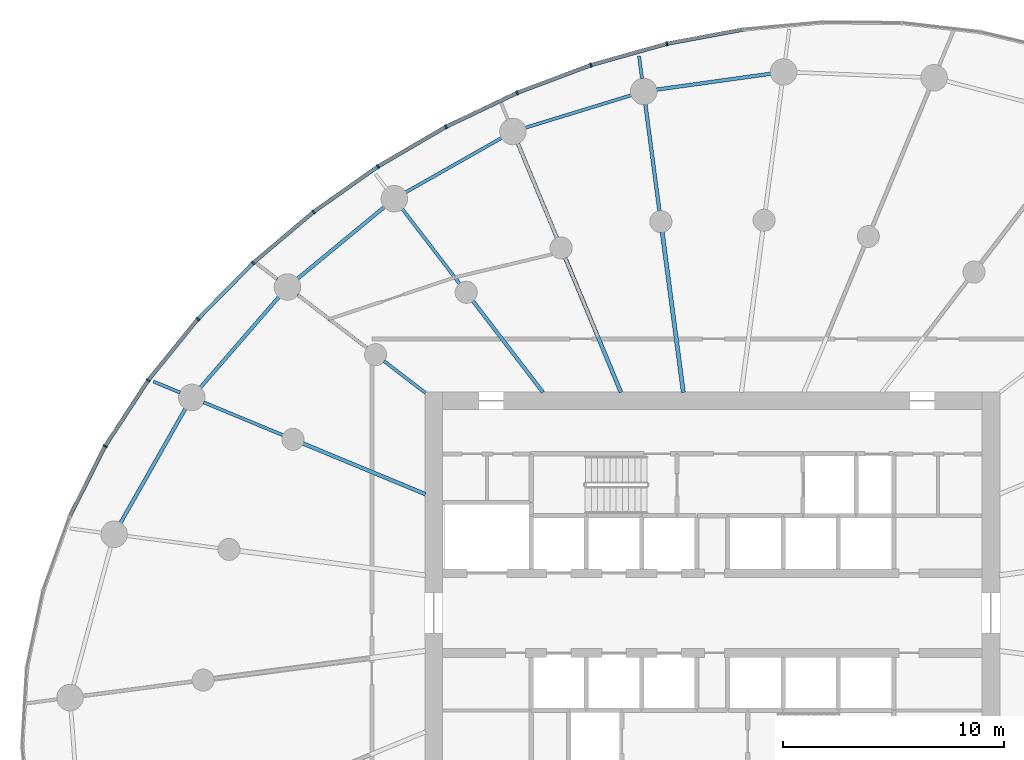
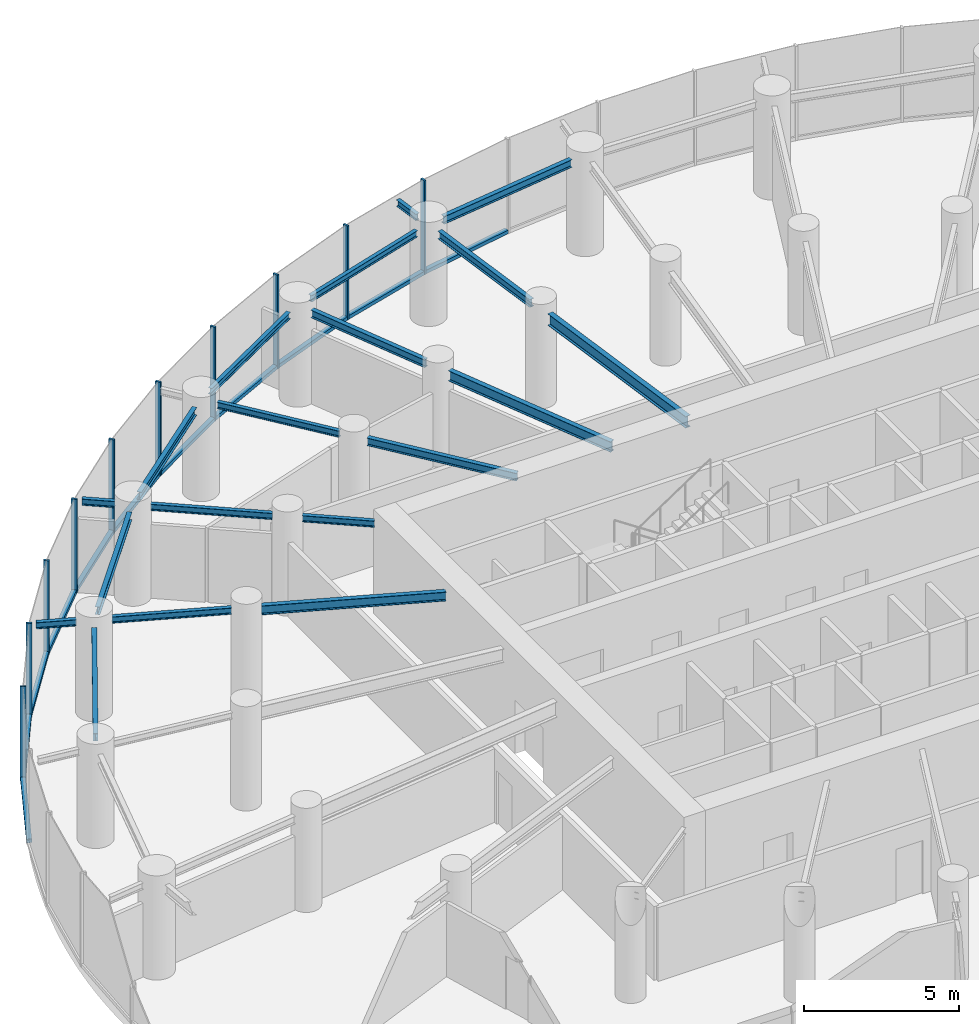
# One storey, part 6 of 17: 21 members, 19 beams, 3 elements without a shape of their own.
"""IFC4 building model written with IfcOpenShell, lengths in metres."""

from ifc_helpers import new_model, si_unit, direction, frame, origin, origin_2d, place, context, subcontext, project, spatial, rectangle, i_section, extrude, source, transform, mapped, material, layer, layer_set, material_profile, profile_set, type_object, element, aggregate, save


model = new_model("IFC4")

# Units and contexts
model_context = context("Model", 3, precision=1e-05, world=origin(), true_north=direction((0.0, 1.0)))
body_context = subcontext(model_context, "Body", "Model", "MODEL_VIEW")
ifc_project = project(units=[si_unit("LENGTHUNIT", "METRE"), si_unit("AREAUNIT", "SQUARE_METRE"), si_unit("VOLUMEUNIT", "CUBIC_METRE"), si_unit("PLANEANGLEUNIT", "RADIAN"), si_unit("MASSUNIT", "GRAM", prefix="KILO")], contexts=[model_context])

# Site, building, storey
site_placement = place(None, origin())
site = spatial("IfcSite", under=ifc_project, at=site_placement, CompositionType="ELEMENT")
building_placement = place(site_placement, origin())
building = spatial("IfcBuilding", under=site, at=building_placement, Name="Spindrift Exchange Tower", CompositionType="ELEMENT")
storey_placement = place(building_placement, frame((0.0, 0.0, 104.39990234375)))
storey = spatial("IfcBuildingStorey", under=building, at=storey_placement, Name="L24", CompositionType="ELEMENT", Elevation=104.39990234375)

# Beams
ifc_material_1 = material(Name="Steel Grade 300", Category="steel")
ifc_material_profile_1 = material_profile(ifc_material_1, i_section(OverallWidth=0.18994140625, OverallDepth=0.45703125, WebThickness=0.009033203125, FlangeThickness=0.014404296875, FilletRadius=0.013916015625, at=origin_2d()), Name="460UB74.6")
ifc_profile_set_1 = profile_set([ifc_material_profile_1], Name="Steel Grade 300")
beam_type_1 = type_object("IfcBeamType", Name="Floor Beam 460UB74.6 Steel Grade 300", PredefinedType="BEAM", material=ifc_profile_set_1)
shared_shape_1 = source(origin(), body_context, "Body", "SweptSolid", [
    extrude(i_section(OverallWidth=0.18994140625, OverallDepth=0.45703125, WebThickness=0.009033203125, FlangeThickness=0.014404296875, FilletRadius=0.013916015625, at=origin_2d()), origin(), (0.0, 0.0, 1.0), 7.3095703125),
])
beam_1_placement = place(storey_placement, frame((50.68603515625, 57.980224609375, 3.4716796875), z_axis=(-0.130527087244, 0.991444743541, 0.0), x_axis=(-0.991444743541, -0.130527087244, 0.0)))
element("IfcBeam", 1, at=beam_1_placement, inside=storey, type_object=beam_type_1, Name="L24 radial beam R07A", PredefinedType="BEAM", context=body_context, shape_type="MappedRepresentation", body=[
    mapped(shared_shape_1, transform((0.0, 0.0, 0.0), scale=1.0)),
])
ifc_material_profile_2 = material_profile(ifc_material_1, i_section(OverallWidth=0.177978515625, OverallDepth=0.406005859375, WebThickness=0.0078125, FlangeThickness=0.0126953125, FilletRadius=0.013916015625, at=origin_2d()), Name="410UB59.7")
ifc_profile_set_2 = profile_set([ifc_material_profile_2], Name="Steel Grade 300")
beam_type_2 = type_object("IfcBeamType", Name="Floor Beam 410UB59.7 Steel Grade 300", PredefinedType="BEAM", material=ifc_profile_set_2)
shared_shape_2 = source(origin(), body_context, "Body", "SweptSolid", [
    extrude(i_section(OverallWidth=0.177978515625, OverallDepth=0.406005859375, WebThickness=0.0078125, FlangeThickness=0.0126953125, FilletRadius=0.013916015625, at=origin_2d()), origin(), (0.0, 0.0, 1.0), 6.594482421875),
])
beam_2_placement = place(storey_placement, frame((47.865478515625, 57.9814453125, 3.4970703125), z_axis=(-0.382692929746, 0.92387559851, 0.0), x_axis=(-0.92387559851, -0.382692929746, 0.0)))
element("IfcBeam", 2, at=beam_2_placement, inside=storey, type_object=beam_type_2, Name="L24 radial beam R08A", PredefinedType="BEAM", context=body_context, shape_type="MappedRepresentation", body=[
    mapped(shared_shape_2, transform((0.0, 0.0, 0.0), scale=1.0)),
])
ifc_material_profile_3 = material_profile(ifc_material_1, i_section(OverallWidth=0.1650390625, OverallDepth=0.303955078125, WebThickness=0.006103515625, FlangeThickness=0.01025390625, FilletRadius=0.011474609375, at=origin_2d()), Name="310UB40.4")
ifc_profile_set_3 = profile_set([ifc_material_profile_3], Name="Steel Grade 300")
beam_type_3 = type_object("IfcBeamType", Name="Floor Beam 310UB40.4 Steel Grade 300", PredefinedType="BEAM", material=ifc_profile_set_3)
shared_shape_3 = source(origin(), body_context, "Body", "SweptSolid", [
    extrude(i_section(OverallWidth=0.1650390625, OverallDepth=0.303955078125, WebThickness=0.006103515625, FlangeThickness=0.01025390625, FilletRadius=0.011474609375, at=origin_2d()), origin(), (0.0, 0.0, 1.0), 5.224609375),
])
beam_3_placement = place(storey_placement, frame((44.3388671875, 57.984130859375, 3.548095703125), z_axis=(-0.608741499316, 0.793368632485, 0.0), x_axis=(-0.793368632485, -0.608741499316, 0.0)))
element("IfcBeam", 3, at=beam_3_placement, inside=storey, type_object=beam_type_3, Name="L24 radial beam R09A", PredefinedType="BEAM", context=body_context, shape_type="MappedRepresentation", body=[
    mapped(shared_shape_3, transform((0.0, 0.0, 0.0), scale=1.0)),
])
ifc_material_profile_4 = material_profile(ifc_material_1, i_section(OverallWidth=0.14599609375, OverallDepth=0.251953125, WebThickness=0.006103515625, FlangeThickness=0.008544921875, FilletRadius=0.011962890625, at=origin_2d()), Name="250UB31.4")
ifc_profile_set_4 = profile_set([ifc_material_profile_4], Name="Steel Grade 300")
beam_type_4 = type_object("IfcBeamType", Name="Floor Beam 250UB31.4 Steel Grade 300", PredefinedType="BEAM", material=ifc_profile_set_4)
shared_shape_4 = source(origin(), body_context, "Body", "SweptSolid", [
    extrude(i_section(OverallWidth=0.14599609375, OverallDepth=0.251953125, WebThickness=0.006103515625, FlangeThickness=0.008544921875, FilletRadius=0.011962890625, at=origin_2d()), origin(), (0.0, 0.0, 1.0), 2.353759765625),
])
beam_4_placement = place(storey_placement, frame((39.015869140625, 57.963134765625, 3.57421875), z_axis=(-0.793367573265, 0.608742879787, 0.0), x_axis=(-0.608742879787, -0.793367573265, 0.0)))
element("IfcBeam", 4, at=beam_4_placement, inside=storey, type_object=beam_type_4, Name="L24 radial beam R10A", PredefinedType="BEAM", context=body_context, shape_type="MappedRepresentation", body=[
    mapped(shared_shape_4, transform((0.0, 0.0, 0.0), scale=1.0)),
])
ifc_material_profile_5 = material_profile(ifc_material_1, i_section(OverallWidth=0.172119140625, OverallDepth=0.35888671875, WebThickness=0.008056640625, FlangeThickness=0.012939453125, FilletRadius=0.013916015625, at=origin_2d()), Name="360UB56.7")
ifc_profile_set_5 = profile_set([ifc_material_profile_5], Name="Steel Grade 300")
beam_type_5 = type_object("IfcBeamType", Name="Floor Beam 360UB56.7 Steel Grade 300", PredefinedType="BEAM", material=ifc_profile_set_5)
shared_shape_5 = source(origin(), body_context, "Body", "SweptSolid", [
    extrude(i_section(OverallWidth=0.172119140625, OverallDepth=0.35888671875, WebThickness=0.008056640625, FlangeThickness=0.012939453125, FilletRadius=0.013916015625, at=origin_2d()), origin(), (0.0, 0.0, 1.0), 6.004638671875),
])
beam_5_placement = place(storey_placement, frame((39.0185546875, 53.377197265625, 3.5205078125), z_axis=(-0.923882044911, 0.38267736684, 0.0), x_axis=(-0.38267736684, -0.923882044911, 0.0)))
element("IfcBeam", 5, at=beam_5_placement, inside=storey, type_object=beam_type_5, Name="L24 radial beam R11A", PredefinedType="BEAM", context=body_context, shape_type="MappedRepresentation", body=[
    mapped(shared_shape_5, transform((0.0, 0.0, 0.0), scale=1.0)),
])
shared_shape_6 = source(origin(), body_context, "Body", "SweptSolid", [
    extrude(i_section(OverallWidth=0.1650390625, OverallDepth=0.303955078125, WebThickness=0.006103515625, FlangeThickness=0.01025390625, FilletRadius=0.011474609375, at=origin_2d()), origin(), (0.0, 0.0, 1.0), 4.883056640625),
])
beam_6_placement = place(storey_placement, frame((49.606689453125, 66.17919921875, 3.548095703125), z_axis=(-0.130542457964, 0.991442719812, 0.0), x_axis=(-0.991442719812, -0.130542457964, 0.0)))
element("IfcBeam", 6, at=beam_6_placement, inside=storey, type_object=beam_type_3, Name="L24 radial beam R07B", PredefinedType="BEAM", context=body_context, shape_type="MappedRepresentation", body=[
    mapped(shared_shape_6, transform((0.0, 0.0, 0.0), scale=1.0)),
])
shared_shape_7 = source(origin(), body_context, "Body", "SweptSolid", [
    extrude(i_section(OverallWidth=0.1650390625, OverallDepth=0.303955078125, WebThickness=0.006103515625, FlangeThickness=0.01025390625, FilletRadius=0.011474609375, at=origin_2d()), origin(), (0.0, 0.0, 1.0), 4.63671875),
])
beam_7_placement = place(storey_placement, frame((44.974609375, 64.9609375, 3.548095703125), z_axis=(-0.382692818086, 0.923875644763, 0.0), x_axis=(-0.923875644763, -0.382692818086, 0.0)))
element("IfcBeam", 7, at=beam_7_placement, inside=storey, type_object=beam_type_3, Name="L24 radial beam R08B", PredefinedType="BEAM", context=body_context, shape_type="MappedRepresentation", body=[
    mapped(shared_shape_7, transform((0.0, 0.0, 0.0), scale=1.0)),
])
shared_shape_8 = source(origin(), body_context, "Body", "SweptSolid", [
    extrude(i_section(OverallWidth=0.14599609375, OverallDepth=0.251953125, WebThickness=0.006103515625, FlangeThickness=0.008544921875, FilletRadius=0.011962890625, at=origin_2d()), origin(), (0.0, 0.0, 1.0), 4.27587890625),
])
beam_8_placement = place(storey_placement, frame((40.573974609375, 62.890625, 3.57421875), z_axis=(-0.608725184746, 0.793381150177, 0.0), x_axis=(-0.793381150177, -0.608725184746, 0.0)))
element("IfcBeam", 8, at=beam_8_placement, inside=storey, type_object=beam_type_4, Name="L24 radial beam R09B", PredefinedType="BEAM", context=body_context, shape_type="MappedRepresentation", body=[
    mapped(shared_shape_8, transform((0.0, 0.0, 0.0), scale=1.0)),
])
shared_shape_9 = source(origin(), body_context, "Body", "SweptSolid", [
    extrude(i_section(OverallWidth=0.14599609375, OverallDepth=0.251953125, WebThickness=0.006103515625, FlangeThickness=0.008544921875, FilletRadius=0.011962890625, at=origin_2d()), origin(), (0.0, 0.0, 1.0), 3.966064453125),
])
beam_9_placement = place(storey_placement, frame((36.38671875, 59.98046875, 3.57421875), z_axis=(-0.79336256318, 0.608749409318, 0.0), x_axis=(-0.608749409318, -0.79336256318, 0.0)))
element("IfcBeam", 9, at=beam_9_placement, inside=storey, type_object=beam_type_4, Name="L24 radial beam R10B", PredefinedType="BEAM", context=body_context, shape_type="MappedRepresentation", body=[
    mapped(shared_shape_9, transform((0.0, 0.0, 0.0), scale=1.0)),
])
shared_shape_10 = source(origin(), body_context, "Body", "SweptSolid", [
    extrude(i_section(OverallWidth=0.14599609375, OverallDepth=0.251953125, WebThickness=0.006103515625, FlangeThickness=0.008544921875, FilletRadius=0.011962890625, at=origin_2d()), origin(), (0.0, 0.0, 1.0), 3.892333984375),
])
beam_10_placement = place(storey_placement, frame((32.583984375, 56.04248046875, 3.57421875), z_axis=(-0.923878458273, 0.382686025794, 0.0), x_axis=(-0.382686025794, -0.923878458273, 0.0)))
element("IfcBeam", 10, at=beam_10_placement, inside=storey, type_object=beam_type_4, Name="L24 radial beam R11B", PredefinedType="BEAM", context=body_context, shape_type="MappedRepresentation", body=[
    mapped(shared_shape_10, transform((0.0, 0.0, 0.0), scale=1.0)),
])
ifc_material_profile_6 = material_profile(ifc_material_1, i_section(OverallWidth=0.1650390625, OverallDepth=0.303955078125, WebThickness=0.006103515625, FlangeThickness=0.01025390625, FilletRadius=0.011474609375, at=origin_2d()), Name="310UB40.4")
ifc_profile_set_6 = profile_set([ifc_material_profile_6], Name="Steel Grade 300")
beam_type_6 = type_object("IfcBeamType", Name="Edge Beam 310UB40.4 Steel Grade 300", PredefinedType="SPANDREL", material=ifc_profile_set_6)
shared_shape_11 = source(origin(), body_context, "Body", "SweptSolid", [
    extrude(i_section(OverallWidth=0.1650390625, OverallDepth=0.303955078125, WebThickness=0.006103515625, FlangeThickness=0.01025390625, FilletRadius=0.011474609375, at=origin_2d()), origin(), (0.0, 0.0, 1.0), 5.22998046875),
])
beam_11_placement = place(storey_placement, frame((54.64794921875, 72.396728515625, 3.548095703125), z_axis=(-0.990440078597, -0.137943650481, 0.0), x_axis=(0.137943650481, -0.990440078597, 0.0)))
element("IfcBeam", 11, at=beam_11_placement, inside=storey, type_object=beam_type_6, Name="L24 edge beam E06", PredefinedType="SPANDREL", context=body_context, shape_type="MappedRepresentation", body=[
    mapped(shared_shape_11, transform((0.0, 0.0, 0.0), scale=1.0)),
])
ifc_material_profile_7 = material_profile(ifc_material_1, i_section(OverallWidth=0.14599609375, OverallDepth=0.251953125, WebThickness=0.006103515625, FlangeThickness=0.008544921875, FilletRadius=0.011962890625, at=origin_2d()), Name="250UB31.4")
ifc_profile_set_7 = profile_set([ifc_material_profile_7], Name="Steel Grade 300")
beam_type_7 = type_object("IfcBeamType", Name="Edge Beam 250UB31.4 Steel Grade 300", PredefinedType="SPANDREL", material=ifc_profile_set_7)
shared_shape_12 = source(origin(), body_context, "Body", "SweptSolid", [
    extrude(i_section(OverallWidth=0.14599609375, OverallDepth=0.251953125, WebThickness=0.006103515625, FlangeThickness=0.008544921875, FilletRadius=0.011962890625, at=origin_2d()), origin(), (0.0, 0.0, 1.0), 5.027587890625),
])
beam_12_placement = place(storey_placement, frame((48.339111328125, 71.42529296875, 3.57421875), z_axis=(-0.956018084082, -0.293307727325, 0.0), x_axis=(0.293307727325, -0.956018084082, 0.0)))
element("IfcBeam", 12, at=beam_12_placement, inside=storey, type_object=beam_type_7, Name="L24 edge beam E07", PredefinedType="SPANDREL", context=body_context, shape_type="MappedRepresentation", body=[
    mapped(shared_shape_12, transform((0.0, 0.0, 0.0), scale=1.0)),
])
shared_shape_13 = source(origin(), body_context, "Body", "SweptSolid", [
    extrude(i_section(OverallWidth=0.14599609375, OverallDepth=0.251953125, WebThickness=0.006103515625, FlangeThickness=0.008544921875, FilletRadius=0.011962890625, at=origin_2d()), origin(), (0.0, 0.0, 1.0), 5.0009765625),
])
beam_13_placement = place(storey_placement, frame((42.4736328125, 69.494384765625, 3.57421875), z_axis=(-0.870045916697, -0.492970691663, 0.0), x_axis=(0.492970691663, -0.870045916697, 0.0)))
element("IfcBeam", 13, at=beam_13_placement, inside=storey, type_object=beam_type_7, Name="L24 edge beam E08", PredefinedType="SPANDREL", context=body_context, shape_type="MappedRepresentation", body=[
    mapped(shared_shape_13, transform((0.0, 0.0, 0.0), scale=1.0)),
])
shared_shape_14 = source(origin(), body_context, "Body", "SweptSolid", [
    extrude(i_section(OverallWidth=0.1650390625, OverallDepth=0.303955078125, WebThickness=0.006103515625, FlangeThickness=0.01025390625, FilletRadius=0.011474609375, at=origin_2d()), origin(), (0.0, 0.0, 1.0), 5.114501953125),
])
beam_14_placement = place(storey_placement, frame((37.1708984375, 66.373779296875, 3.548095703125), z_axis=(-0.771073837992, -0.63674573918, 0.0), x_axis=(0.63674573918, -0.771073837992, 0.0)))
element("IfcBeam", 14, at=beam_14_placement, inside=storey, type_object=beam_type_6, Name="L24 edge beam E09", PredefinedType="SPANDREL", context=body_context, shape_type="MappedRepresentation", body=[
    mapped(shared_shape_14, transform((0.0, 0.0, 0.0), scale=1.0)),
])
shared_shape_15 = source(origin(), body_context, "Body", "SweptSolid", [
    extrude(i_section(OverallWidth=0.1650390625, OverallDepth=0.303955078125, WebThickness=0.006103515625, FlangeThickness=0.01025390625, FilletRadius=0.011474609375, at=origin_2d()), origin(), (0.0, 0.0, 1.0), 5.448486328125),
])
beam_15_placement = place(storey_placement, frame((32.400390625, 62.3095703125, 3.548095703125), z_axis=(-0.654922008827, -0.755696475018, 0.0), x_axis=(0.755696475018, -0.654922008827, 0.0)))
element("IfcBeam", 15, at=beam_15_placement, inside=storey, type_object=beam_type_6, Name="L24 edge beam E10", PredefinedType="SPANDREL", context=body_context, shape_type="MappedRepresentation", body=[
    mapped(shared_shape_15, transform((0.0, 0.0, 0.0), scale=1.0)),
])
shared_shape_16 = source(origin(), body_context, "Body", "SweptSolid", [
    extrude(i_section(OverallWidth=0.1650390625, OverallDepth=0.303955078125, WebThickness=0.006103515625, FlangeThickness=0.01025390625, FilletRadius=0.011474609375, at=origin_2d()), origin(), (0.0, 0.0, 1.0), 5.9599609375),
])
beam_16_placement = place(storey_placement, frame((28.165771484375, 57.24951171875, 3.548095703125), z_axis=(-0.493940434745, -0.869495742901, 0.0), x_axis=(0.869495742901, -0.493940434745, 0.0)))
element("IfcBeam", 16, at=beam_16_placement, inside=storey, type_object=beam_type_6, Name="L24 edge beam E11", PredefinedType="SPANDREL", context=body_context, shape_type="MappedRepresentation", body=[
    mapped(shared_shape_16, transform((0.0, 0.0, 0.0), scale=1.0)),
])
ifc_material_profile_8 = material_profile(ifc_material_1, i_section(OverallWidth=0.14599609375, OverallDepth=0.251953125, WebThickness=0.006103515625, FlangeThickness=0.008544921875, FilletRadius=0.011962890625, at=origin_2d()), Name="250UB31.4")
ifc_profile_set_8 = profile_set([ifc_material_profile_8], Name="Steel Grade 300")
beam_type_8 = type_object("IfcBeamType", Name="Cantilever Beam 250UB31.4 Steel Grade 300", PredefinedType="BEAM", material=ifc_profile_set_8)
shared_shape_17 = source(origin(), body_context, "Body", "SweptSolid", [
    extrude(i_section(OverallWidth=0.14599609375, OverallDepth=0.251953125, WebThickness=0.006103515625, FlangeThickness=0.008544921875, FilletRadius=0.011962890625, at=origin_2d()), origin(), (0.0, 0.0, 1.0), 1.036865234375),
])
beam_17_placement = place(storey_placement, frame((48.81787109375, 72.17041015625, 3.57421875), z_axis=(-0.13043624116, 0.991456699504, 0.0), x_axis=(-0.991456699504, -0.13043624116, 0.0)))
element("IfcBeam", 17, at=beam_17_placement, inside=storey, type_object=beam_type_8, Name="L24 cantilever beam R07T", PredefinedType="BEAM", context=body_context, shape_type="MappedRepresentation", body=[
    mapped(shared_shape_17, transform((0.0, 0.0, 0.0), scale=1.0)),
])
shared_shape_18 = source(origin(), body_context, "Body", "SweptSolid", [
    extrude(i_section(OverallWidth=0.14599609375, OverallDepth=0.251953125, WebThickness=0.006103515625, FlangeThickness=0.008544921875, FilletRadius=0.011962890625, at=origin_2d()), origin(), (0.0, 0.0, 1.0), 1.070556640625),
])
beam_18_placement = place(storey_placement, frame((32.320068359375, 63.10107421875, 3.57421875), z_axis=(-0.793411777687, 0.608685264342, 0.0), x_axis=(-0.608685264342, -0.793411777687, 0.0)))
element("IfcBeam", 18, at=beam_18_placement, inside=storey, type_object=beam_type_8, Name="L24 cantilever beam R10T", PredefinedType="BEAM", context=body_context, shape_type="MappedRepresentation", body=[
    mapped(shared_shape_18, transform((0.0, 0.0, 0.0), scale=1.0)),
])
shared_shape_19 = source(origin(), body_context, "Body", "SweptSolid", [
    extrude(i_section(OverallWidth=0.14599609375, OverallDepth=0.251953125, WebThickness=0.006103515625, FlangeThickness=0.008544921875, FilletRadius=0.011962890625, at=origin_2d()), origin(), (0.0, 0.0, 1.0), 1.301025390625),
])
beam_19_placement = place(storey_placement, frame((27.91650390625, 57.975830078125, 3.57421875), z_axis=(-0.923891035164, 0.382655661324, 0.0), x_axis=(-0.382655661324, -0.923891035164, 0.0)))
element("IfcBeam", 19, at=beam_19_placement, inside=storey, type_object=beam_type_8, Name="L24 cantilever beam R11T", PredefinedType="BEAM", context=body_context, shape_type="MappedRepresentation", body=[
    mapped(shared_shape_19, transform((0.0, 0.0, 0.0), scale=1.0)),
])

# Curtain wall, members
ifc_material_2 = material(Name="Fritted laminated glass with bronze frame", Category="glass")
ifc_layer = layer(ifc_material_2, 0.18994140625)
ifc_layer_set = layer_set([ifc_layer], Name="ZONE 2 BRONZE FRITTED WALL")
curtain_wall_type = type_object("IfcCurtainWallType", Name="ZONE 2 BRONZE FRITTED WALL", PredefinedType="NOTDEFINED", material=ifc_layer_set)
curtain_wall_1_placement = place(storey_placement, origin())
curtain_wall_1 = element("IfcCurtainWall", 20, at=curtain_wall_1_placement, inside=storey, type_object=curtain_wall_type, Name="L24 Zone 2 Bronze Fritted Wall run 2", PredefinedType="NOTDEFINED")
ifc_material_3 = material(Name="Bronze anodised aluminium", Category="aluminium")
ifc_material_profile_9 = material_profile(ifc_material_3, rectangle(XDim=0.169921875, YDim=0.139892578125, at=origin_2d()), Name="ZONE 2 BRONZE FRITTED WALL TRANSOM 170X140")
ifc_profile_set_9 = profile_set([ifc_material_profile_9], Name="Bronze anodised aluminium")
member_type_1 = type_object("IfcMemberType", Name="ZONE 2 BRONZE FRITTED WALL TRANSOM 170X140", PredefinedType="USERDEFINED", material=ifc_profile_set_9)
shared_shape_20 = source(origin(), body_context, "Body", "SweptSolid", [
    extrude(rectangle(XDim=0.169921875, YDim=0.139892578125, at=origin_2d()), origin(), (0.0, 0.0, 1.0), 3.49169921875),
])
member_1_placement = place(storey_placement, frame((49.90625, 73.74072265625, 0.070068359375), z_axis=(-0.962793177329, -0.270239334087, 0.0), x_axis=(0.270239334087, -0.962793177329, 0.0)))
member_1 = element("IfcMember", 21, at=member_1_placement, type_object=member_type_1, Name="L24 transom CW-2.11", ObjectType="TRANSOM", PredefinedType="USERDEFINED", context=body_context, shape_type="MappedRepresentation", body=[
    mapped(shared_shape_20, transform((0.0, 0.0, 0.0), scale=1.0)),
])
member_2_placement = place(storey_placement, frame((46.473388671875, 72.773681640625, 0.070068359375), z_axis=(-0.935955100105, -0.352119369799, 0.0), x_axis=(0.352119369799, -0.935955100105, 0.0)))
member_2 = element("IfcMember", 22, at=member_2_placement, type_object=member_type_1, Name="L24 transom CW-2.12", ObjectType="TRANSOM", PredefinedType="USERDEFINED", context=body_context, shape_type="MappedRepresentation", body=[
    mapped(shared_shape_20, transform((0.0, 0.0, 0.0), scale=1.0)),
])

# Curtain wall, member
curtain_wall_2_placement = place(storey_placement, origin())
curtain_wall_2 = element("IfcCurtainWall", 23, at=curtain_wall_2_placement, inside=storey, type_object=curtain_wall_type, Name="L24 Zone 2 Bronze Fritted Wall run 3", PredefinedType="NOTDEFINED")
member_3_placement = place(storey_placement, frame((43.13623046875, 71.514892578125, 0.070068359375), z_axis=(-0.902821741878, -0.430015002521, 0.0), x_axis=(0.430015002521, -0.902821741878, 0.0)))
member_3 = element("IfcMember", 24, at=member_3_placement, type_object=member_type_1, Name="L24 transom CW-2.13", ObjectType="TRANSOM", PredefinedType="USERDEFINED", context=body_context, shape_type="MappedRepresentation", body=[
    mapped(shared_shape_20, transform((0.0, 0.0, 0.0), scale=1.0)),
])

curtain_wall_3_placement = place(storey_placement, origin())
curtain_wall_3 = element("IfcCurtainWall", 25, at=curtain_wall_3_placement, inside=storey, type_object=curtain_wall_type, Name="L24 Zone 2 Bronze Fritted Wall run 4", PredefinedType="NOTDEFINED")
shared_shape_21 = source(origin(), body_context, "Body", "SweptSolid", [
    extrude(rectangle(XDim=0.169921875, YDim=0.139892578125, at=origin_2d()), origin(), (0.0, 0.0, 1.0), 3.49072265625),
])
member_4_placement = place(storey_placement, frame((24.513427734375, 55.512451171875, 0.070068359375), z_axis=(-0.450064877713, -0.892995859928, 0.0), x_axis=(0.892995859928, -0.450064877713, 0.0)))
member_4 = element("IfcMember", 26, at=member_4_placement, type_object=member_type_1, Name="L24 transom CW-2.20", ObjectType="TRANSOM", PredefinedType="USERDEFINED", context=body_context, shape_type="MappedRepresentation", body=[
    mapped(shared_shape_21, transform((0.0, 0.0, 0.0), scale=1.0)),
])

# Member
shared_shape_22 = source(origin(), body_context, "Body", "SweptSolid", [
    extrude(rectangle(XDim=0.169921875, YDim=0.139892578125, at=origin_2d()), origin(), (0.0, 0.0, 1.0), 3.491455078125),
])
member_5_placement = place(storey_placement, frame((53.411376953125, 74.3984375, 0.070068359375), z_axis=(-0.983022266847, -0.183486301622, 0.0), x_axis=(0.183486301622, -0.983022266847, 0.0)))
member_5 = element("IfcMember", 27, at=member_5_placement, type_object=member_type_1, Name="L24 transom CW-2.10", ObjectType="TRANSOM", PredefinedType="USERDEFINED", context=body_context, shape_type="MappedRepresentation", body=[
    mapped(shared_shape_22, transform((0.0, 0.0, 0.0), scale=1.0)),
])

member_6_placement = place(storey_placement, frame((39.917724609375, 69.978271484375, 0.070068359375), z_axis=(-0.863413478517, -0.504496942622, 0.0), x_axis=(0.504496942622, -0.863413478517, 0.0)))
member_6 = element("IfcMember", 28, at=member_6_placement, type_object=member_type_1, Name="L24 transom CW-2.14", ObjectType="TRANSOM", PredefinedType="USERDEFINED", context=body_context, shape_type="MappedRepresentation", body=[
    mapped(shared_shape_22, transform((0.0, 0.0, 0.0), scale=1.0)),
])

member_7_placement = place(storey_placement, frame((33.927001953125, 66.118408203125, 0.070068359375), z_axis=(-0.763783986175, -0.645471937781, 0.0), x_axis=(0.645471937781, -0.763783986175, 0.0)))
member_7 = element("IfcMember", 29, at=member_7_placement, type_object=member_type_1, Name="L24 transom CW-2.16", ObjectType="TRANSOM", PredefinedType="USERDEFINED", context=body_context, shape_type="MappedRepresentation", body=[
    mapped(shared_shape_22, transform((0.0, 0.0, 0.0), scale=1.0)),
])

member_8_placement = place(storey_placement, frame((31.205322265625, 63.813720703125, 0.070068359375), z_axis=(-0.70191335214, -0.712262343584, 0.0), x_axis=(0.712262343584, -0.70191335214, 0.0)))
member_8 = element("IfcMember", 30, at=member_8_placement, type_object=member_type_1, Name="L24 transom CW-2.17", ObjectType="TRANSOM", PredefinedType="USERDEFINED", context=body_context, shape_type="MappedRepresentation", body=[
    mapped(shared_shape_22, transform((0.0, 0.0, 0.0), scale=1.0)),
])

member_9_placement = place(storey_placement, frame((28.70458984375, 61.271240234375, 0.070068359375), z_axis=(-0.630247701711, -0.776394123167, 0.0), x_axis=(0.776394123167, -0.630247701711, 0.0)))
member_9 = element("IfcMember", 31, at=member_9_placement, type_object=member_type_1, Name="L24 transom CW-2.18", ObjectType="TRANSOM", PredefinedType="USERDEFINED", context=body_context, shape_type="MappedRepresentation", body=[
    mapped(shared_shape_22, transform((0.0, 0.0, 0.0), scale=1.0)),
])

ifc_material_profile_10 = material_profile(ifc_material_3, rectangle(XDim=0.074951171875, YDim=0.18994140625, at=origin_2d()), Name="ZONE 2 BRONZE FRITTED WALL MULLION 75X190")
ifc_profile_set_10 = profile_set([ifc_material_profile_10], Name="Bronze anodised aluminium")
member_type_2 = type_object("IfcMemberType", Name="ZONE 2 BRONZE FRITTED WALL MULLION 75X190", PredefinedType="MULLION", material=ifc_profile_set_10)
shared_shape_23 = source(origin(), body_context, "Body", "SweptSolid", [
    extrude(rectangle(XDim=0.074951171875, YDim=0.18994140625, at=origin_2d()), origin(), (0.0, 0.0, 1.0), 3.7001953125),
])
member_10_placement = place(storey_placement, frame((49.9423828125, 73.7509765625, 0.0), z_axis=(0.0, 0.0, 1.0), x_axis=(-0.973868948827, -0.227110701005, 0.0)))
member_10 = element("IfcMember", 32, at=member_10_placement, type_object=member_type_2, Name="L24 mullion CW-2.11", PredefinedType="MULLION", context=body_context, shape_type="MappedRepresentation", body=[
    mapped(shared_shape_23, transform((0.0, 0.0, 0.0), scale=1.0)),
])

member_11_placement = place(storey_placement, frame((46.50830078125, 72.787109375, 0.0), z_axis=(0.0, 0.0, 1.0), x_axis=(-0.950248765538, -0.311492028137, 0.0)))
member_11 = element("IfcMember", 33, at=member_11_placement, type_object=member_type_2, Name="L24 mullion CW-2.12", PredefinedType="MULLION", context=body_context, shape_type="MappedRepresentation", body=[
    mapped(shared_shape_23, transform((0.0, 0.0, 0.0), scale=1.0)),
])

aggregate(curtain_wall_1, [member_5, member_10, member_1, member_11, member_2])

member_12_placement = place(storey_placement, frame((43.170166015625, 71.531005859375, 0.0), z_axis=(0.0, 0.0, 1.0), x_axis=(-0.920208568055, -0.391428398661, 0.0)))
member_12 = element("IfcMember", 34, at=member_12_placement, type_object=member_type_2, Name="L24 mullion CW-2.13", PredefinedType="MULLION", context=body_context, shape_type="MappedRepresentation", body=[
    mapped(shared_shape_23, transform((0.0, 0.0, 0.0), scale=1.0)),
])

member_13_placement = place(storey_placement, frame((39.9501953125, 69.997314453125, 0.0), z_axis=(0.0, 0.0, 1.0), x_axis=(-0.883893892087, -0.467687489175, 0.0)))
member_13 = element("IfcMember", 35, at=member_13_placement, type_object=member_type_2, Name="L24 mullion CW-2.14", PredefinedType="MULLION", context=body_context, shape_type="MappedRepresentation", body=[
    mapped(shared_shape_23, transform((0.0, 0.0, 0.0), scale=1.0)),
])

member_14_placement = place(storey_placement, frame((36.87060546875, 68.19775390625, 0.0), z_axis=(0.0, 0.0, 1.0), x_axis=(-0.841098491149, -0.540881990999, 0.0)))
member_14 = element("IfcMember", 36, at=member_14_placement, type_object=member_type_2, Name="L24 mullion CW-2.15", PredefinedType="MULLION", context=body_context, shape_type="MappedRepresentation", body=[
    mapped(shared_shape_23, transform((0.0, 0.0, 0.0), scale=1.0)),
])

member_15_placement = place(storey_placement, frame((33.955810546875, 66.142578125, 0.0), z_axis=(0.0, 0.0, 1.0), x_axis=(-0.791296834294, -0.611432187603, 0.0)))
member_15 = element("IfcMember", 37, at=member_15_placement, type_object=member_type_2, Name="L24 mullion CW-2.16", PredefinedType="MULLION", context=body_context, shape_type="MappedRepresentation", body=[
    mapped(shared_shape_23, transform((0.0, 0.0, 0.0), scale=1.0)),
])

member_16_placement = place(storey_placement, frame((31.231689453125, 63.840576171875, 0.0), z_axis=(0.0, 0.0, 1.0), x_axis=(-0.733625995096, -0.679553455821, 0.0)))
member_16 = element("IfcMember", 38, at=member_16_placement, type_object=member_type_2, Name="L24 mullion CW-2.17", PredefinedType="MULLION", context=body_context, shape_type="MappedRepresentation", body=[
    mapped(shared_shape_23, transform((0.0, 0.0, 0.0), scale=1.0)),
])

member_17_placement = place(storey_placement, frame((28.728271484375, 61.30029296875, 0.0), z_axis=(0.0, 0.0, 1.0), x_axis=(-0.666852741869, -0.745189519963, 0.0)))
member_17 = element("IfcMember", 39, at=member_17_placement, type_object=member_type_2, Name="L24 mullion CW-2.18", PredefinedType="MULLION", context=body_context, shape_type="MappedRepresentation", body=[
    mapped(shared_shape_23, transform((0.0, 0.0, 0.0), scale=1.0)),
])

member_18_placement = place(storey_placement, frame((26.480712890625, 58.531494140625, 0.0), z_axis=(0.0, 0.0, 1.0), x_axis=(-0.589368271909, -0.807864493629, 0.0)))
member_18 = element("IfcMember", 40, at=member_18_placement, type_object=member_type_2, Name="L24 mullion CW-2.19", PredefinedType="MULLION", context=body_context, shape_type="MappedRepresentation", body=[
    mapped(shared_shape_23, transform((0.0, 0.0, 0.0), scale=1.0)),
])

member_19_placement = place(storey_placement, frame((24.5302734375, 55.5458984375, 0.0), z_axis=(0.0, 0.0, 1.0), x_axis=(-0.499268559151, -0.866447289709, 0.0)))
member_19 = element("IfcMember", 41, at=member_19_placement, type_object=member_type_2, Name="L24 mullion CW-2.20", PredefinedType="MULLION", context=body_context, shape_type="MappedRepresentation", body=[
    mapped(shared_shape_23, transform((0.0, 0.0, 0.0), scale=1.0)),
])

shared_shape_24 = source(origin(), body_context, "Body", "SweptSolid", [
    extrude(rectangle(XDim=0.169921875, YDim=0.139892578125, at=origin_2d()), origin(), (0.0, 0.0, 1.0), 3.490966796875),
])
member_20_placement = place(storey_placement, frame((26.460205078125, 58.5, 0.070068359375), z_axis=(-0.546945970016, -0.83716790782, 0.0), x_axis=(0.83716790782, -0.546945970016, 0.0)))
member_20 = element("IfcMember", 42, at=member_20_placement, type_object=member_type_1, Name="L24 transom CW-2.19", ObjectType="TRANSOM", PredefinedType="USERDEFINED", context=body_context, shape_type="MappedRepresentation", body=[
    mapped(shared_shape_24, transform((0.0, 0.0, 0.0), scale=1.0)),
])

aggregate(curtain_wall_3, [member_18, member_20, member_19, member_4])

shared_shape_25 = source(origin(), body_context, "Body", "SweptSolid", [
    extrude(rectangle(XDim=0.169921875, YDim=0.139892578125, at=origin_2d()), origin(), (0.0, 0.0, 1.0), 3.491943359375),
])
member_21_placement = place(storey_placement, frame((36.840087890625, 68.17626953125, 0.070068359375), z_axis=(-0.817266154861, -0.576260385693, 0.0), x_axis=(0.576260385693, -0.817266154861, 0.0)))
member_21 = element("IfcMember", 43, at=member_21_placement, type_object=member_type_1, Name="L24 transom CW-2.15", ObjectType="TRANSOM", PredefinedType="USERDEFINED", context=body_context, shape_type="MappedRepresentation", body=[
    mapped(shared_shape_25, transform((0.0, 0.0, 0.0), scale=1.0)),
])

aggregate(curtain_wall_2, [member_12, member_3, member_13, member_6, member_14, member_21, member_15, member_7, member_16, member_8, member_17, member_9])

save(model, "model.ifc")
